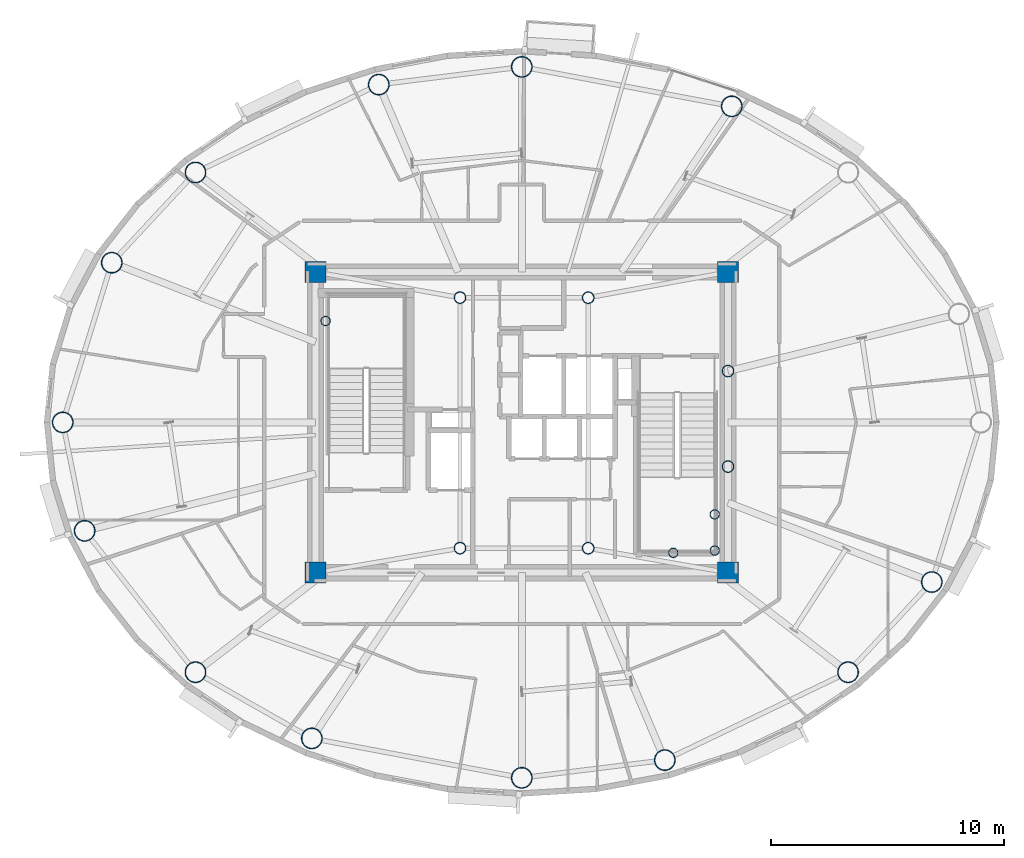
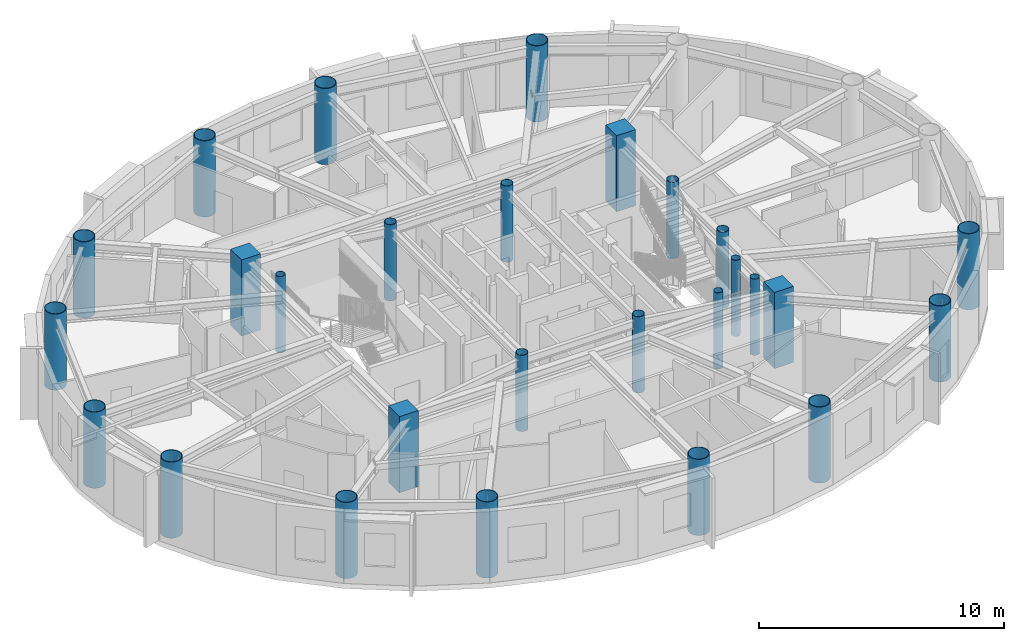
# One storey, part 1 of 17: 27 columns.
"""IFC4 building model written with IfcOpenShell, lengths in metres."""

import ifcopenshell
import ifcopenshell.guid

model = None  # the IFC model being written
_history = None  # IfcOwnerHistory: only IFC2X3 demands one
_inside = {}  # id of a spatial element -> (the spatial element, [elements in it])
_under = {}  # id of a project, library or spatial element -> (it, [spatial elements below it])
_declared = {}  # id of a project -> (the project, [libraries it declares])
_typed = {}  # id of a type object -> (the type object, [elements of that type])
_made_of = {}  # id of a material, layer set ... -> (it, [elements and type objects made of it])


def new_model(schema):
    """Start an empty IFC model of exactly this schema.

    Asked for "IFC4X3", IfcOpenShell would pick the latest addendum, in which some entities
    have other attributes; the version numbers below select the first issue.
    IFC2X3 requires an IfcOwnerHistory on every rooted entity: one is made here for all.
    """
    global model, _history
    if schema == "IFC4X3":
        model = ifcopenshell.file(schema_version=(4, 3, 0, 0))
    else:
        model = ifcopenshell.file(schema=schema)
    _inside.clear()
    _under.clear()
    _declared.clear()
    _typed.clear()
    _made_of.clear()
    _history = None
    if model.schema == "IFC2X3":
        org = make("IfcOrganization", Name="unknown")
        user = make(
            "IfcPersonAndOrganization",
            ThePerson=make("IfcPerson", FamilyName="unknown"),
            TheOrganization=org,
        )
        app = make(
            "IfcApplication",
            ApplicationDeveloper=org,
            Version="unknown",
            ApplicationFullName="unknown",
            ApplicationIdentifier="unknown",
        )
        _history = make(
            "IfcOwnerHistory",
            OwningUser=user,
            OwningApplication=app,
            ChangeAction="ADDED",
            CreationDate=0,
        )
    return model


def make(cls, **values):
    """One entity of the class cls with the attributes given. An attribute that is None is left unset."""
    return model.create_entity(
        cls, **{name: value for name, value in values.items() if value is not None}
    )


def rooted(cls, **values):
    """An entity with a GlobalId (a new one), such as an element, a storey or a relation."""
    return make(cls, GlobalId=ifcopenshell.guid.new(), OwnerHistory=_history, **values)


def si_unit(unit_type, name, prefix=None):
    """IfcSIUnit, for example si_unit("LENGTHUNIT", "METRE", prefix="MILLI")."""
    return make("IfcSIUnit", UnitType=unit_type, Prefix=prefix, Name=name)


def assignment(units):
    """IfcUnitAssignment: the units of a project."""
    return None if units is None else make("IfcUnitAssignment", Units=units)


def point(xyz):
    """IfcCartesianPoint."""
    return None if xyz is None else make("IfcCartesianPoint", Coordinates=xyz)


def direction(xyz):
    """IfcDirection."""
    return None if xyz is None else make("IfcDirection", DirectionRatios=xyz)


def frame(location, z_axis=None, x_axis=None):
    """IfcAxis2Placement3D, a coordinate frame: its origin and axes. An axis left out is left unset."""
    return make(
        "IfcAxis2Placement3D",
        Location=point(location),
        Axis=direction(z_axis),
        RefDirection=direction(x_axis),
    )


def frame_2d(location, x_axis=None):
    """IfcAxis2Placement2D, a coordinate frame in the plane: its origin and x axis."""
    return make(
        "IfcAxis2Placement2D", Location=point(location), RefDirection=direction(x_axis)
    )


def origin():
    """The frame at (0, 0, 0) with its axes left unset."""
    return frame((0.0, 0.0, 0.0))


def origin_2d():
    """The frame at (0, 0) in the plane with its x axis left unset."""
    return frame_2d((0.0, 0.0))


def place(relative_to, where):
    """IfcLocalPlacement: puts the frame where relative to a parent placement (None: the world)."""
    return make(
        "IfcLocalPlacement", PlacementRelTo=relative_to, RelativePlacement=where
    )


def context(
    kind, dimensions, precision=None, world=None, true_north=None, identifier=None
):
    """IfcGeometricRepresentationContext, for example the 3D "Model" context."""
    return make(
        "IfcGeometricRepresentationContext",
        ContextIdentifier=identifier,
        ContextType=kind,
        CoordinateSpaceDimension=dimensions,
        Precision=precision,
        WorldCoordinateSystem=world,
        TrueNorth=true_north,
    )


def subcontext(parent, identifier, kind, view, scale=None):
    """IfcGeometricRepresentationSubContext, for example "Body" below "Model"."""
    return make(
        "IfcGeometricRepresentationSubContext",
        ContextIdentifier=identifier,
        ContextType=kind,
        ParentContext=parent,
        TargetScale=scale,
        TargetView=view,
    )


def project(units=None, contexts=None):
    """IfcProject with its units and contexts."""
    return rooted(
        "IfcProject",
        Name="project",
        RepresentationContexts=contexts,
        UnitsInContext=assignment(units),
    )


def spatial(cls, under=None, at=None, **own):
    """A site, building, storey or space (cls), placed at a placement, below another one or the project."""
    s = rooted(cls, ObjectPlacement=at, **own)
    if under is not None:
        _under.setdefault(under.id(), (under, []))[1].append(s)
    return s


def profile(cls, at=None, kind="AREA", **sizes):
    """A parametric profile (cls). Its sizes go by their IFC names, for example OverallWidth=200.0."""
    return make(cls, ProfileType=kind, Position=at, **sizes)


def rectangle(**sizes):
    """IfcRectangleProfileDef."""
    return profile("IfcRectangleProfileDef", **sizes)


def hollow_circle(**sizes):
    """IfcCircleHollowProfileDef."""
    return profile("IfcCircleHollowProfileDef", **sizes)


def extrude(swept, where, along, depth):
    """IfcExtrudedAreaSolid: the profile swept, set in the frame where, extruded along a direction by depth."""
    return make(
        "IfcExtrudedAreaSolid",
        SweptArea=swept,
        Position=where,
        ExtrudedDirection=direction(along),
        Depth=depth,
    )


def shape(context_of_items, identifier, shape_type, items):
    """IfcShapeRepresentation: the items that make up one representation, for example the "Body"."""
    return make(
        "IfcShapeRepresentation",
        ContextOfItems=context_of_items,
        RepresentationIdentifier=identifier,
        RepresentationType=shape_type,
        Items=items,
    )


def material(Name=None, Category=None):
    """IfcMaterial."""
    return make("IfcMaterial", Name=Name, Category=Category)


def material_profile(
    of_material, cross_section, Name=None, Category=None, Priority=None
):
    """IfcMaterialProfile: a cross section and its material."""
    return make(
        "IfcMaterialProfile",
        Name=Name,
        Material=of_material,
        Profile=cross_section,
        Priority=Priority,
        Category=Category,
    )


def profile_set(profiles, Name=None, composite=None):
    """IfcMaterialProfileSet."""
    return make(
        "IfcMaterialProfileSet",
        Name=Name,
        MaterialProfiles=profiles,
        CompositeProfile=composite,
    )


def made_of(thing, what):
    """Note that an element or type object is made of a material, layer set ...; save() writes the relation."""
    if what is not None:
        _made_of.setdefault(what.id(), (what, []))[1].append(thing)
    return thing


def type_object(cls, material=None, **own):
    """A type object (cls), such as IfcWallType, which elements share."""
    return made_of(rooted(cls, **own), material)


def element(
    cls,
    number,
    at=None,
    inside=None,
    cuts=None,
    type_object=None,
    material=None,
    context=None,
    identifier="Body",
    shape_type=None,
    held_by="IfcProductDefinitionShape",
    body=None,
    shapes=None,
    **own,
):
    """One element of the class cls, such as IfcWall. Its Tag is "e" and its number.

    at: its placement. inside: the storey or other place that contains it. cuts: it is an
    opening in that element (IfcRelVoidsElement). A single representation is given by context,
    identifier, shape_type and body (its items); several are given by shapes. held_by: the class
    of the entity that holds the representations. save() writes the other relations.
    """
    e = rooted(cls, Tag="e%d" % number, ObjectPlacement=at, **own)
    if body is not None:
        shapes = [shape(context, identifier, shape_type, body)]
    if shapes is not None:
        e.Representation = make(held_by, Representations=shapes)
    if inside is not None:
        _inside.setdefault(inside.id(), (inside, []))[1].append(e)
    if cuts is not None:
        rooted(
            "IfcRelVoidsElement", RelatingBuildingElement=cuts, RelatedOpeningElement=e
        )
    if type_object is not None:
        _typed.setdefault(type_object.id(), (type_object, []))[1].append(e)
    return made_of(e, material)


def aggregate(whole, parts):
    """IfcRelAggregates: a whole, such as a stair, and the parts it consists of."""
    return rooted("IfcRelAggregates", RelatingObject=whole, RelatedObjects=parts)


def save(model, path):
    """Write the relations noted so far, then the file.

    IfcRelAggregates (storeys below a building ...), IfcRelContainedInSpatialStructure (elements
    in a storey), IfcRelDefinesByType, IfcRelAssociatesMaterial and IfcRelDeclares: one each for
    every whole, place, type object, material and project.
    """
    for whole, parts in _under.values():
        aggregate(whole, parts)
    for where, things in _inside.values():
        rooted(
            "IfcRelContainedInSpatialStructure",
            RelatedElements=things,
            RelatingStructure=where,
        )
    for kind, things in _typed.values():
        rooted("IfcRelDefinesByType", RelatedObjects=things, RelatingType=kind)
    for what, things in _made_of.values():
        rooted("IfcRelAssociatesMaterial", RelatedObjects=things, RelatingMaterial=what)
    for by, libraries in _declared.values():
        rooted("IfcRelDeclares", RelatingContext=by, RelatedDefinitions=libraries)
    model.write(path)


model = new_model("IFC4")

# Units and contexts
model_context = context("Model", 3, precision=1e-05, world=origin(), true_north=direction((0.0, 1.0)))
body_context = subcontext(model_context, "Body", "Model", "MODEL_VIEW")
ifc_project = project(units=[si_unit("LENGTHUNIT", "METRE"), si_unit("AREAUNIT", "SQUARE_METRE"), si_unit("VOLUMEUNIT", "CUBIC_METRE"), si_unit("PLANEANGLEUNIT", "RADIAN"), si_unit("MASSUNIT", "GRAM", prefix="KILO")], contexts=[model_context])

# Site, building, storey
site_placement = place(None, origin())
site = spatial("IfcSite", under=ifc_project, at=site_placement, CompositionType="ELEMENT")
building_placement = place(site_placement, origin())
building = spatial("IfcBuilding", under=site, at=building_placement, Name="Linh Dai School and Residence Tower", CompositionType="ELEMENT")
storey_placement = place(building_placement, frame((0.0, 0.0, 331.60009765625)))
storey = spatial("IfcBuildingStorey", under=building, at=storey_placement, Name="L82", CompositionType="ELEMENT", Elevation=331.60009765625)

# Columns
ifc_material_1 = material(Name="Concrete B45 (C35/45)", Category="concrete")
ifc_material_profile_1 = material_profile(ifc_material_1, rectangle(XDim=0.89990234375, YDim=0.89990234375, at=origin_2d()), Name="RC 900x900")
ifc_profile_set_1 = profile_set([ifc_material_profile_1], Name="Concrete B45 (C35/45)")
column_type_1 = type_object("IfcColumnType", Name="COL-CC4", PredefinedType="COLUMN", material=ifc_profile_set_1)
for number, where, z_axis, x_axis, name in (
    (1, (27.14990234375, 20.550048828125, 0.0), (0.0, 0.0, 1.0), (1.0, 0.0, 0.0), "L82 Core Corner Pier CC1"),
    (2, (44.85009765625, 20.550048828125, 0.0), (0.0, 0.0, 1.0), (1.0, 0.0, 0.0), "L82 Core Corner Pier CC2"),
    (3, (44.85009765625, 33.449951171875, 0.0), (0.0, 0.0, 1.0), (1.0, 0.0, 0.0), "L82 Core Corner Pier CC3"),
    (4, (27.14990234375, 33.449951171875, 0.0), (0.0, 0.0, 1.0), (1.0, 0.0, 0.0), "L82 Core Corner Pier CC4"),
):
    element("IfcColumn", number, at=place(storey_placement, frame(where, z_axis=z_axis, x_axis=x_axis)), inside=storey, type_object=column_type_1, Name=name, PredefinedType="COLUMN", context=body_context, shape_type="SweptSolid", body=[
        extrude(rectangle(XDim=0.89990234375, YDim=0.89990234375, at=origin_2d()), origin(), (0.0, 0.0, 1.0), 3.7998046875),
    ])
ifc_material_2 = material(Name="Structural Steel S355JR", Category="steel")
ifc_material_profile_2 = material_profile(ifc_material_2, hollow_circle(Radius=0.203125, WallThickness=0.01611328125, at=origin_2d()), Name="CHS 406.4x16")
ifc_profile_set_2 = profile_set([ifc_material_profile_2], Name="Structural Steel S355JR")
column_type_2 = type_object("IfcColumnType", Name="COL-EC", PredefinedType="COLUMN", material=ifc_profile_set_2)
for number, where, z_axis, x_axis, name in (
    (5, (27.580078125, 31.35009765625, 0.0), (0.0, 0.0, 1.0), (1.0, 0.0, 0.0), "L82 Stair Shaft Landing Support Pier ST1NW"),
    (6, (44.280029296875, 21.5, 0.0), (0.0, 0.0, 1.0), (1.0, 0.0, 0.0), "L82 Stair Shaft Landing Support Pier ST2SE"),
    (7, (44.280029296875, 23.050048828125, 0.0), (0.0, 0.0, 1.0), (1.0, 0.0, 0.0), "L82 Stair Shaft Landing Support Pier ST2NE"),
    (8, (42.5, 21.39990234375, 0.0), (0.0, 0.0, 1.0), (1.0, 0.0, 0.0), "L82 Stair Shaft Landing Support Pier ST2MS"),
):
    element("IfcColumn", number, at=place(storey_placement, frame(where, z_axis=z_axis, x_axis=x_axis)), inside=storey, type_object=column_type_2, Name=name, PredefinedType="COLUMN", context=body_context, shape_type="SweptSolid", body=[
        extrude(hollow_circle(Radius=0.203125, WallThickness=0.01611328125, at=origin_2d()), origin(), (0.0, 0.0, 1.0), 3.7998046875),
    ])
ifc_material_profile_3 = material_profile(ifc_material_2, hollow_circle(Radius=0.449951171875, WallThickness=0.028076171875, at=origin_2d()), Name="CHS 900x28")
ifc_profile_set_3 = profile_set([ifc_material_profile_3], Name="Structural Steel S355JR")
column_type_3 = type_object("IfcColumnType", Name="COL-MC7", PredefinedType="COLUMN", material=ifc_profile_set_3)
for number, where, z_axis, x_axis, name in (
    (9, (45.01025390625, 40.56201171875, 0.0), (0.0, 0.0, 1.0), (1.0, 0.0, 0.0), "L82 Perimeter CFT Mega-Column MC04"),
    (10, (36.0, 42.2548828125, 0.0), (0.0, 0.0, 1.0), (1.0, 0.0, 0.0), "L82 Perimeter CFT Mega-Column MC05"),
    (11, (29.862548828125, 41.493896484375, 0.0), (0.0, 0.0, 1.0), (1.0, 0.0, 0.0), "L82 Perimeter CFT Mega-Column MC06"),
    (12, (21.99755859375, 37.72265625, 0.0), (0.0, 0.0, 1.0), (1.0, 0.0, 0.0), "L82 Perimeter CFT Mega-Column MC07"),
    (13, (18.405029296875, 33.8525390625, 0.0), (0.0, 0.0, 1.0), (1.0, 0.0, 0.0), "L82 Perimeter CFT Mega-Column MC08"),
    (14, (16.300048828125, 27.0, 0.0), (0.0, 0.0, 1.0), (1.0, 0.0, 0.0), "L82 Perimeter CFT Mega-Column MC09"),
    (15, (17.2421875, 22.34521484375, 0.0), (0.0, 0.0, 1.0), (1.0, 0.0, 0.0), "L82 Perimeter CFT Mega-Column MC10"),
    (16, (21.99755859375, 16.27734375, 0.0), (0.0, 0.0, 1.0), (1.0, 0.0, 0.0), "L82 Perimeter CFT Mega-Column MC11"),
    (17, (26.98974609375, 13.43798828125, 0.0), (0.0, 0.0, 1.0), (1.0, 0.0, 0.0), "L82 Perimeter CFT Mega-Column MC12"),
    (18, (36.0, 11.7451171875, 0.0), (0.0, 0.0, 1.0), (1.0, 0.0, 0.0), "L82 Perimeter CFT Mega-Column MC13"),
    (19, (42.137451171875, 12.506103515625, 0.0), (0.0, 0.0, 1.0), (1.0, 0.0, 0.0), "L82 Perimeter CFT Mega-Column MC14"),
    (20, (50.00244140625, 16.27734375, 0.0), (0.0, 0.0, 1.0), (1.0, 0.0, 0.0), "L82 Perimeter CFT Mega-Column MC15"),
    (21, (53.594970703125, 20.1474609375, 0.0), (0.0, 0.0, 1.0), (1.0, 0.0, 0.0), "L82 Perimeter CFT Mega-Column MC16"),
):
    element("IfcColumn", number, at=place(storey_placement, frame(where, z_axis=z_axis, x_axis=x_axis)), inside=storey, type_object=column_type_3, Name=name, PredefinedType="COLUMN", context=body_context, shape_type="SweptSolid", body=[
        extrude(hollow_circle(Radius=0.449951171875, WallThickness=0.028076171875, at=origin_2d()), origin(), (0.0, 0.0, 1.0), 3.7998046875),
    ])
ifc_material_profile_4 = material_profile(ifc_material_2, hollow_circle(Radius=0.25390625, WallThickness=0.02001953125, at=origin_2d()), Name="CHS 508x20")
ifc_profile_set_4 = profile_set([ifc_material_profile_4], Name="Structural Steel S355JR")
column_type_4 = type_object("IfcColumnType", Name="COL-MCP", PredefinedType="COLUMN", material=ifc_profile_set_4)
for number, where, z_axis, x_axis, name in (
    (22, (33.35009765625, 21.60009765625, 0.0), (0.0, 0.0, 1.0), (1.0, 0.0, 0.0), "L82 Core Mast Support Pier MCP1"),
    (23, (38.85009765625, 21.60009765625, 0.0), (0.0, 0.0, 1.0), (1.0, 0.0, 0.0), "L82 Core Mast Support Pier MCP2"),
    (24, (38.85009765625, 32.35009765625, 0.0), (0.0, 0.0, 1.0), (1.0, 0.0, 0.0), "L82 Core Mast Support Pier MCP3"),
    (25, (33.35009765625, 32.35009765625, 0.0), (0.0, 0.0, 1.0), (1.0, 0.0, 0.0), "L82 Core Mast Support Pier MCP4"),
    (26, (44.85009765625, 25.10009765625, 0.0), (0.0, 0.0, 1.0), (1.0, 0.0, 0.0), "L82 Sky-Lounge Core Anchor Pier S"),
    (27, (44.85009765625, 29.199951171875, 0.0), (0.0, 0.0, 1.0), (1.0, 0.0, 0.0), "L82 Sky-Lounge Core Anchor Pier N"),
):
    element("IfcColumn", number, at=place(storey_placement, frame(where, z_axis=z_axis, x_axis=x_axis)), inside=storey, type_object=column_type_4, Name=name, PredefinedType="COLUMN", context=body_context, shape_type="SweptSolid", body=[
        extrude(hollow_circle(Radius=0.25390625, WallThickness=0.02001953125, at=origin_2d()), origin(), (0.0, 0.0, 1.0), 3.7998046875),
    ])

save(model, "model.ifc")
